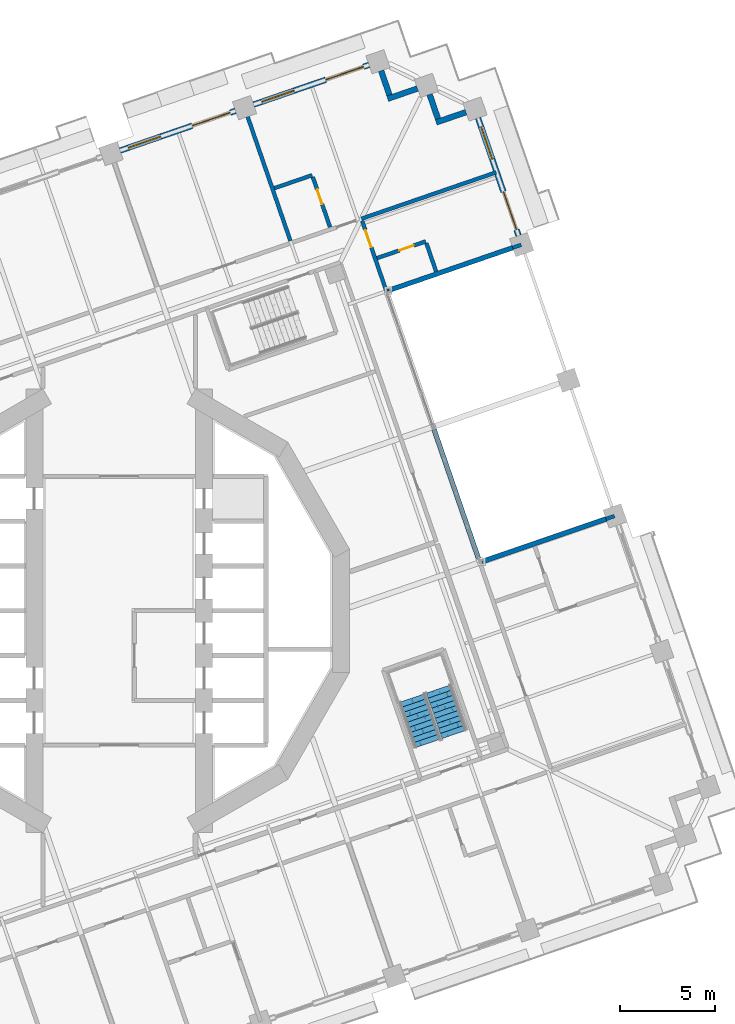
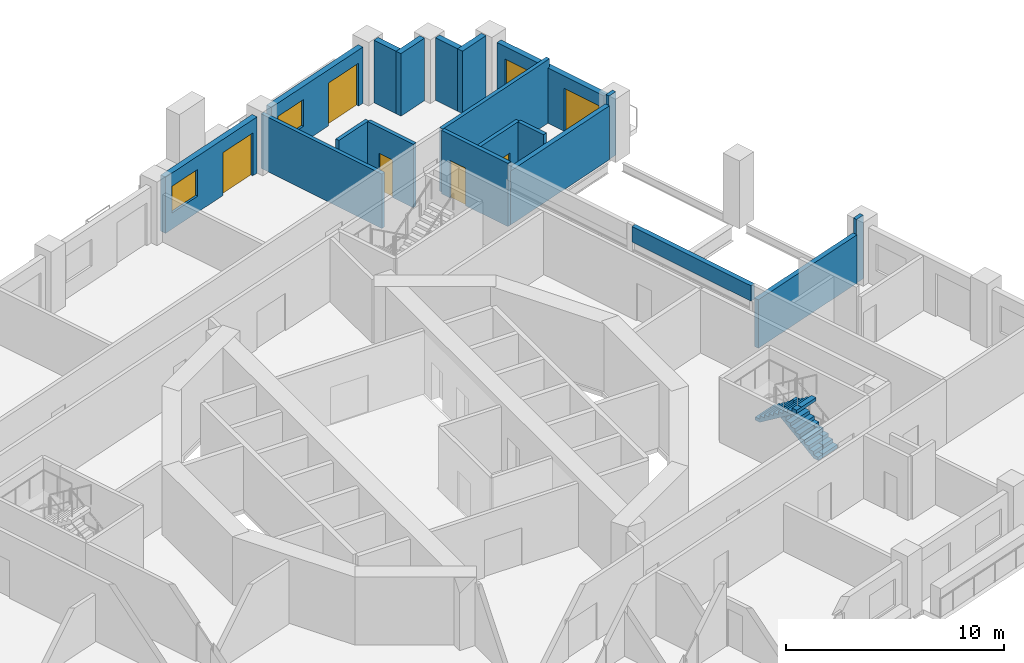
# One storey, part 12 of 19: 19 walls, 6 doors, 3 windows, 2 stair flights, 9 openings, 1 element without a shape of its own.
"""IFC4 building model written with IfcOpenShell, lengths in metres."""

import ifcopenshell
import ifcopenshell.guid

model = None  # the IFC model being written
_history = None  # IfcOwnerHistory: only IFC2X3 demands one
_inside = {}  # id of a spatial element -> (the spatial element, [elements in it])
_under = {}  # id of a project, library or spatial element -> (it, [spatial elements below it])
_declared = {}  # id of a project -> (the project, [libraries it declares])
_typed = {}  # id of a type object -> (the type object, [elements of that type])
_made_of = {}  # id of a material, layer set ... -> (it, [elements and type objects made of it])


def new_model(schema):
    """Start an empty IFC model of exactly this schema.

    Asked for "IFC4X3", IfcOpenShell would pick the latest addendum, in which some entities
    have other attributes; the version numbers below select the first issue.
    IFC2X3 requires an IfcOwnerHistory on every rooted entity: one is made here for all.
    """
    global model, _history
    if schema == "IFC4X3":
        model = ifcopenshell.file(schema_version=(4, 3, 0, 0))
    else:
        model = ifcopenshell.file(schema=schema)
    _inside.clear()
    _under.clear()
    _declared.clear()
    _typed.clear()
    _made_of.clear()
    _history = None
    if model.schema == "IFC2X3":
        org = make("IfcOrganization", Name="unknown")
        user = make(
            "IfcPersonAndOrganization",
            ThePerson=make("IfcPerson", FamilyName="unknown"),
            TheOrganization=org,
        )
        app = make(
            "IfcApplication",
            ApplicationDeveloper=org,
            Version="unknown",
            ApplicationFullName="unknown",
            ApplicationIdentifier="unknown",
        )
        _history = make(
            "IfcOwnerHistory",
            OwningUser=user,
            OwningApplication=app,
            ChangeAction="ADDED",
            CreationDate=0,
        )
    return model


def make(cls, **values):
    """One entity of the class cls with the attributes given. An attribute that is None is left unset."""
    return model.create_entity(
        cls, **{name: value for name, value in values.items() if value is not None}
    )


def rooted(cls, **values):
    """An entity with a GlobalId (a new one), such as an element, a storey or a relation."""
    return make(cls, GlobalId=ifcopenshell.guid.new(), OwnerHistory=_history, **values)


def si_unit(unit_type, name, prefix=None):
    """IfcSIUnit, for example si_unit("LENGTHUNIT", "METRE", prefix="MILLI")."""
    return make("IfcSIUnit", UnitType=unit_type, Prefix=prefix, Name=name)


def assignment(units):
    """IfcUnitAssignment: the units of a project."""
    return None if units is None else make("IfcUnitAssignment", Units=units)


def point(xyz):
    """IfcCartesianPoint."""
    return None if xyz is None else make("IfcCartesianPoint", Coordinates=xyz)


def direction(xyz):
    """IfcDirection."""
    return None if xyz is None else make("IfcDirection", DirectionRatios=xyz)


def frame(location, z_axis=None, x_axis=None):
    """IfcAxis2Placement3D, a coordinate frame: its origin and axes. An axis left out is left unset."""
    return make(
        "IfcAxis2Placement3D",
        Location=point(location),
        Axis=direction(z_axis),
        RefDirection=direction(x_axis),
    )


def frame_2d(location, x_axis=None):
    """IfcAxis2Placement2D, a coordinate frame in the plane: its origin and x axis."""
    return make(
        "IfcAxis2Placement2D", Location=point(location), RefDirection=direction(x_axis)
    )


def origin():
    """The frame at (0, 0, 0) with its axes left unset."""
    return frame((0.0, 0.0, 0.0))


def place(relative_to, where):
    """IfcLocalPlacement: puts the frame where relative to a parent placement (None: the world)."""
    return make(
        "IfcLocalPlacement", PlacementRelTo=relative_to, RelativePlacement=where
    )


def context(
    kind, dimensions, precision=None, world=None, true_north=None, identifier=None
):
    """IfcGeometricRepresentationContext, for example the 3D "Model" context."""
    return make(
        "IfcGeometricRepresentationContext",
        ContextIdentifier=identifier,
        ContextType=kind,
        CoordinateSpaceDimension=dimensions,
        Precision=precision,
        WorldCoordinateSystem=world,
        TrueNorth=true_north,
    )


def subcontext(parent, identifier, kind, view, scale=None):
    """IfcGeometricRepresentationSubContext, for example "Body" below "Model"."""
    return make(
        "IfcGeometricRepresentationSubContext",
        ContextIdentifier=identifier,
        ContextType=kind,
        ParentContext=parent,
        TargetScale=scale,
        TargetView=view,
    )


def project(units=None, contexts=None):
    """IfcProject with its units and contexts."""
    return rooted(
        "IfcProject",
        Name="project",
        RepresentationContexts=contexts,
        UnitsInContext=assignment(units),
    )


def spatial(cls, under=None, at=None, **own):
    """A site, building, storey or space (cls), placed at a placement, below another one or the project."""
    s = rooted(cls, ObjectPlacement=at, **own)
    if under is not None:
        _under.setdefault(under.id(), (under, []))[1].append(s)
    return s


def polyline(points):
    """IfcPolyline through the points."""
    return make("IfcPolyline", Points=[point(p) for p in points])


def profile(cls, at=None, kind="AREA", **sizes):
    """A parametric profile (cls). Its sizes go by their IFC names, for example OverallWidth=200.0."""
    return make(cls, ProfileType=kind, Position=at, **sizes)


def rectangle(**sizes):
    """IfcRectangleProfileDef."""
    return profile("IfcRectangleProfileDef", **sizes)


def outline(outer, holes=None, kind="AREA"):
    """IfcArbitraryClosedProfileDef: a profile drawn as a closed curve; with holes, ...WithVoids."""
    if holes is None:
        return make("IfcArbitraryClosedProfileDef", ProfileType=kind, OuterCurve=outer)
    return make(
        "IfcArbitraryProfileDefWithVoids",
        ProfileType=kind,
        OuterCurve=outer,
        InnerCurves=holes,
    )


def extrude(swept, where, along, depth):
    """IfcExtrudedAreaSolid: the profile swept, set in the frame where, extruded along a direction by depth."""
    return make(
        "IfcExtrudedAreaSolid",
        SweptArea=swept,
        Position=where,
        ExtrudedDirection=direction(along),
        Depth=depth,
    )


def shape(context_of_items, identifier, shape_type, items):
    """IfcShapeRepresentation: the items that make up one representation, for example the "Body"."""
    return make(
        "IfcShapeRepresentation",
        ContextOfItems=context_of_items,
        RepresentationIdentifier=identifier,
        RepresentationType=shape_type,
        Items=items,
    )


def material(Name=None, Category=None):
    """IfcMaterial."""
    return make("IfcMaterial", Name=Name, Category=Category)


def layer(
    of_material, thickness, ventilated=None, Name=None, Category=None, Priority=None
):
    """IfcMaterialLayer: one layer of a wall or slab, of a material (None: an air gap)."""
    return make(
        "IfcMaterialLayer",
        Material=of_material,
        LayerThickness=thickness,
        IsVentilated=ventilated,
        Name=Name,
        Category=Category,
        Priority=Priority,
    )


def layer_set(layers, Name=None):
    """IfcMaterialLayerSet."""
    return make("IfcMaterialLayerSet", MaterialLayers=layers, LayerSetName=Name)


def made_of(thing, what):
    """Note that an element or type object is made of a material, layer set ...; save() writes the relation."""
    if what is not None:
        _made_of.setdefault(what.id(), (what, []))[1].append(thing)
    return thing


def type_object(cls, material=None, **own):
    """A type object (cls), such as IfcWallType, which elements share."""
    return made_of(rooted(cls, **own), material)


def element(
    cls,
    number,
    at=None,
    inside=None,
    cuts=None,
    type_object=None,
    material=None,
    context=None,
    identifier="Body",
    shape_type=None,
    held_by="IfcProductDefinitionShape",
    body=None,
    shapes=None,
    **own,
):
    """One element of the class cls, such as IfcWall. Its Tag is "e" and its number.

    at: its placement. inside: the storey or other place that contains it. cuts: it is an
    opening in that element (IfcRelVoidsElement). A single representation is given by context,
    identifier, shape_type and body (its items); several are given by shapes. held_by: the class
    of the entity that holds the representations. save() writes the other relations.
    """
    e = rooted(cls, Tag="e%d" % number, ObjectPlacement=at, **own)
    if body is not None:
        shapes = [shape(context, identifier, shape_type, body)]
    if shapes is not None:
        e.Representation = make(held_by, Representations=shapes)
    if inside is not None:
        _inside.setdefault(inside.id(), (inside, []))[1].append(e)
    if cuts is not None:
        rooted(
            "IfcRelVoidsElement", RelatingBuildingElement=cuts, RelatedOpeningElement=e
        )
    if type_object is not None:
        _typed.setdefault(type_object.id(), (type_object, []))[1].append(e)
    return made_of(e, material)


def fill(opening, filler):
    """IfcRelFillsElement: the door or window that sits in an opening."""
    return rooted(
        "IfcRelFillsElement",
        RelatingOpeningElement=opening,
        RelatedBuildingElement=filler,
    )


def aggregate(whole, parts):
    """IfcRelAggregates: a whole, such as a stair, and the parts it consists of."""
    return rooted("IfcRelAggregates", RelatingObject=whole, RelatedObjects=parts)


def save(model, path):
    """Write the relations noted so far, then the file.

    IfcRelAggregates (storeys below a building ...), IfcRelContainedInSpatialStructure (elements
    in a storey), IfcRelDefinesByType, IfcRelAssociatesMaterial and IfcRelDeclares: one each for
    every whole, place, type object, material and project.
    """
    for whole, parts in _under.values():
        aggregate(whole, parts)
    for where, things in _inside.values():
        rooted(
            "IfcRelContainedInSpatialStructure",
            RelatedElements=things,
            RelatingStructure=where,
        )
    for kind, things in _typed.values():
        rooted("IfcRelDefinesByType", RelatedObjects=things, RelatingType=kind)
    for what, things in _made_of.values():
        rooted("IfcRelAssociatesMaterial", RelatedObjects=things, RelatingMaterial=what)
    for by, libraries in _declared.values():
        rooted("IfcRelDeclares", RelatingContext=by, RelatedDefinitions=libraries)
    model.write(path)


model = new_model("IFC4")

# Units and contexts
model_context = context("Model", 3, precision=1e-05, world=origin(), true_north=direction((0.0, 1.0)))
body_context = subcontext(model_context, "Body", "Model", "MODEL_VIEW")
ifc_project = project(units=[si_unit("LENGTHUNIT", "METRE"), si_unit("AREAUNIT", "SQUARE_METRE"), si_unit("VOLUMEUNIT", "CUBIC_METRE"), si_unit("PLANEANGLEUNIT", "RADIAN"), si_unit("MASSUNIT", "GRAM", prefix="KILO")], contexts=[model_context])

# Site, building, storey
site_placement = place(None, origin())
site = spatial("IfcSite", under=ifc_project, at=site_placement, CompositionType="ELEMENT")
building_placement = place(site_placement, origin())
building = spatial("IfcBuilding", under=site, at=building_placement, Name="Cantera Rosa Tower", CompositionType="ELEMENT")
storey_placement = place(building_placement, frame((0.0, 0.0, 126.89990234375)))
storey = spatial("IfcBuildingStorey", under=building, at=storey_placement, Name="L26", CompositionType="ELEMENT", Elevation=126.89990234375)

# Wall, opening, door
ifc_material_1 = material(Name="Gypsum board partition")
ifc_layer_1 = layer(ifc_material_1, 0.199951171875)
ifc_layer_set_1 = layer_set([ifc_layer_1], Name="CORRIDOR WALL 200 H3550")
wall_type_1 = type_object("IfcWallType", Name="CORRIDOR WALL 200 H3550", PredefinedType="PARTITIONING", material=ifc_layer_set_1)
wall_1_placement = place(storey_placement, frame((14.049560546875, 16.635498046875, 0.0), z_axis=(0.0, 0.0, 1.0), x_axis=(-0.325601838027, 0.945506976745, 0.0)))
wall_1 = element("IfcWall", 1, at=wall_1_placement, inside=storey, type_object=wall_type_1, Name="CORRIDOR WALL L26-100", PredefinedType="PARTITIONING", context=body_context, shape_type="SweptSolid", body=[
    extrude(rectangle(XDim=4.02490234375, YDim=0.199951171875, at=frame_2d((2.012451171875, 0.0))), origin(), (0.0, 0.0, 1.0), 3.550048828125),
])
opening_1_placement = place(wall_1_placement, frame((2.56005859375, 0.0, 0.0)))
opening_1 = element("IfcOpeningElement", 2, at=opening_1_placement, cuts=wall_1, Name="Opening L26-018", PredefinedType="OPENING", context=body_context, shape_type="SweptSolid", body=[
    extrude(rectangle(XDim=0.949951171875, YDim=2.10009765625, at=frame_2d((0.47509765625, 1.050048828125))), frame((0.0, 0.10986328125, 0.0), z_axis=(0.0, -1.0, 0.0), x_axis=(1.0, 0.0, 0.0)), (0.0, 0.0, 1.0), 0.219970703125),
])
ifc_material_2 = material(Name="Timber door leaf", Category="wood")
door_type_1 = type_object("IfcDoorType", Name="ROOM DOOR 950x2100", OperationType="NOTDEFINED", PredefinedType="DOOR", material=ifc_material_2)
door_1_placement = place(opening_1_placement, origin())
door_1 = element("IfcDoor", 3, at=door_1_placement, inside=storey, type_object=door_type_1, Name="DOOR L26-018", OperationType="NOTDEFINED", OverallHeight=2.10009765625, OverallWidth=0.949951171875, PredefinedType="DOOR", context=body_context, shape_type="SweptSolid", body=[
    extrude(rectangle(XDim=0.949951171875, YDim=2.10009765625, at=frame_2d((0.47509765625, 1.050048828125))), frame((0.0, 0.02490234375, 0.0), z_axis=(0.0, -1.0, 0.0), x_axis=(1.0, 0.0, 0.0)), (0.0, 0.0, 1.0), 0.050048828125),
])
fill(opening_1, door_1)

# Walls
ifc_material_3 = material(Name="Hollow clay masonry with cantera stone cladding", Category="masonry")
ifc_layer_2 = layer(ifc_material_3, 0.300048828125)
ifc_layer_set_2 = layer_set([ifc_layer_2], Name="EW-LOGGIA 300")
wall_type_2 = type_object("IfcWallType", Name="EW-LOGGIA 300", PredefinedType="SOLIDWALL", material=ifc_layer_set_2)
wall_2_placement = place(storey_placement, frame((18.17919921875, 26.142822265625, 0.0), z_axis=(0.0, 0.0, 1.0), x_axis=(-0.945530119553, -0.32553462645, 0.0)))
element("IfcWall", 4, at=wall_2_placement, inside=storey, type_object=wall_type_2, Name="EN-L26-W06a", PredefinedType="SOLIDWALL", context=body_context, shape_type="SweptSolid", body=[
    extrude(rectangle(XDim=1.64990234375, YDim=0.300048828125, at=frame_2d((0.824951171875, 0.0))), origin(), (0.0, 0.0, 1.0), 3.5),
])
wall_3_placement = place(storey_placement, frame((16.7119140625, 25.79638671875, 0.0), z_axis=(0.0, 0.0, 1.0), x_axis=(-0.325544748006, 0.945526634763, 0.0)))
element("IfcWall", 5, at=wall_3_placement, inside=storey, type_object=wall_type_2, Name="EN-L26-W06b", PredefinedType="SOLIDWALL", context=body_context, shape_type="SweptSolid", body=[
    extrude(rectangle(XDim=1.349853515625, YDim=0.300048828125, at=frame_2d((0.6748046875, 0.0))), origin(), (0.0, 0.0, 1.0), 3.5),
])
wall_4_placement = place(storey_placement, frame((15.636962890625, 27.3828125, 0.0), z_axis=(0.0, 0.0, 1.0), x_axis=(-0.945484566827, -0.325666906351, 0.0)))
element("IfcWall", 6, at=wall_4_placement, inside=storey, type_object=wall_type_2, Name="EN-L26-W07a", PredefinedType="SOLIDWALL", context=body_context, shape_type="SweptSolid", body=[
    extrude(rectangle(XDim=1.64990234375, YDim=0.300048828125, at=frame_2d((0.824951171875, 0.0))), origin(), (0.0, 0.0, 1.0), 3.5),
])
wall_5_placement = place(storey_placement, frame((14.169921875, 27.0361328125, 0.0), z_axis=(0.0, 0.0, 1.0), x_axis=(-0.325650742363, 0.945490134268, 0.0)))
element("IfcWall", 7, at=wall_5_placement, inside=storey, type_object=wall_type_2, Name="EN-L26-W07b", PredefinedType="SOLIDWALL", context=body_context, shape_type="SweptSolid", body=[
    extrude(rectangle(XDim=1.35009765625, YDim=0.300048828125, at=frame_2d((0.675048828125, 0.0))), origin(), (0.0, 0.0, 1.0), 3.5),
])

# Wall, openings, window, door
ifc_material_4 = material(Name="Hollow clay masonry with cantera stone cladding", Category="masonry")
ifc_layer_3 = layer(ifc_material_4, 0.300048828125)
ifc_layer_set_3 = layer_set([ifc_layer_3], Name="EW-LOGGIA 300 H3090")
wall_type_3 = type_object("IfcWallType", Name="EW-LOGGIA 300 H3090", PredefinedType="SOLIDWALL", material=ifc_layer_set_3)
wall_6_placement = place(storey_placement, frame((20.9375, 19.668212890625, 0.0), z_axis=(0.0, 0.0, 1.0), x_axis=(-0.325592517631, 0.945510186335, 0.0)))
wall_6 = element("IfcWall", 8, at=wall_6_placement, inside=storey, type_object=wall_type_3, Name="EN-L26-W05", PredefinedType="SOLIDWALL", context=body_context, shape_type="SweptSolid", body=[
    extrude(rectangle(XDim=6.519775390625, YDim=0.300048828125, at=frame_2d((3.259765625, 0.0))), origin(), (0.0, 0.0, 1.0), 3.090087890625),
])
opening_2_placement = place(wall_6_placement, frame((0.330078125, 0.0, 0.0)))
opening_2 = element("IfcOpeningElement", 9, at=opening_2_placement, cuts=wall_6, Name="Opening L26-TD05", PredefinedType="OPENING", context=body_context, shape_type="SweptSolid", body=[
    extrude(rectangle(XDim=2.10009765625, YDim=2.39990234375, at=frame_2d((1.050048828125, 1.199951171875))), frame((0.0, 0.159912109375, 0.0), z_axis=(0.0, -1.0, 0.0), x_axis=(1.0, 0.0, 0.0)), (0.0, 0.0, 1.0), 0.320068359375),
])
opening_3_placement = place(wall_6_placement, frame((4.239990234375, 0.0, 0.89990234375)))
opening_3 = element("IfcOpeningElement", 10, at=opening_3_placement, cuts=wall_6, Name="Opening L26-W06", PredefinedType="OPENING", context=body_context, shape_type="SweptSolid", body=[
    extrude(rectangle(XDim=1.800048828125, YDim=1.5, at=frame_2d((0.89990234375, 0.75))), frame((0.0, 0.159912109375, 0.0), z_axis=(0.0, -1.0, 0.0), x_axis=(1.0, 0.0, 0.0)), (0.0, 0.0, 1.0), 0.320068359375),
])
ifc_material_5 = material(Name="Aluminium frame with clear glass", Category="aluminium")
window_type = type_object("IfcWindowType", Name="Hotel room window 1800x1500", PartitioningType="DOUBLE_PANEL_VERTICAL", PredefinedType="WINDOW", material=ifc_material_5)
window_1_placement = place(opening_3_placement, origin())
window_1 = element("IfcWindow", 11, at=window_1_placement, inside=storey, type_object=window_type, Name="WINDOW L26-W06", OverallHeight=1.5, OverallWidth=1.800048828125, PartitioningType="SINGLE_PANEL", PredefinedType="WINDOW", context=body_context, shape_type="SweptSolid", body=[
    extrude(rectangle(XDim=1.800048828125, YDim=1.5, at=frame_2d((0.89990234375, 0.75))), frame((0.0, 0.030029296875, 0.0), z_axis=(0.0, -1.0, 0.0), x_axis=(1.0, 0.0, 0.0)), (0.0, 0.0, 1.0), 0.06005859375),
])
fill(opening_3, window_1)
ifc_material_6 = material(Name="Aluminium frame with clear glass", Category="aluminium")
door_type_2 = type_object("IfcDoorType", Name="TD-H 2100x2400", OperationType="NOTDEFINED", PredefinedType="DOOR", material=ifc_material_6)
door_2_placement = place(opening_2_placement, origin())
door_2 = element("IfcDoor", 12, at=door_2_placement, inside=storey, type_object=door_type_2, Name="LOGGIA DOOR L26-TD05", OperationType="SLIDING_TO_LEFT", OverallHeight=2.39990234375, OverallWidth=2.10009765625, PredefinedType="DOOR", context=body_context, shape_type="SweptSolid", body=[
    extrude(rectangle(XDim=2.10009765625, YDim=2.39990234375, at=frame_2d((1.050048828125, 1.199951171875))), frame((0.0, 0.02490234375, 0.0), z_axis=(0.0, -1.0, 0.0), x_axis=(1.0, 0.0, 0.0)), (0.0, 0.0, 1.0), 0.050048828125),
])
fill(opening_2, door_2)

ifc_material_7 = material(Name="Hollow clay masonry with cantera stone cladding", Category="masonry")
ifc_layer_4 = layer(ifc_material_7, 0.300048828125)
ifc_layer_set_4 = layer_set([ifc_layer_4], Name="EW-LOGGIA 300 H3140")
wall_type_4 = type_object("IfcWallType", Name="EW-LOGGIA 300 H3140", PredefinedType="SOLIDWALL", material=ifc_layer_set_4)
wall_7_placement = place(storey_placement, frame((13.0947265625, 28.62255859375, 0.0), z_axis=(0.0, 0.0, 1.0), x_axis=(-0.945524496524, -0.325550958337, 0.0)))
wall_7 = element("IfcWall", 13, at=wall_7_placement, inside=storey, type_object=wall_type_4, Name="EN-L26-W08", PredefinedType="SOLIDWALL", context=body_context, shape_type="SweptSolid", body=[
    extrude(rectangle(XDim=6.39990234375, YDim=0.300048828125, at=frame_2d((3.199951171875, 0.0))), origin(), (0.0, 0.0, 1.0), 3.14013671875),
])
opening_4_placement = place(wall_7_placement, frame((0.300048828125, 0.0, 0.0)))
opening_4 = element("IfcOpeningElement", 14, at=opening_4_placement, cuts=wall_7, Name="Opening L26-TD07", PredefinedType="OPENING", context=body_context, shape_type="SweptSolid", body=[
    extrude(rectangle(XDim=2.10009765625, YDim=2.39990234375, at=frame_2d((1.050048828125, 1.199951171875))), frame((0.0, 0.159912109375, 0.0), z_axis=(0.0, -1.0, 0.0), x_axis=(1.0, 0.0, 0.0)), (0.0, 0.0, 1.0), 0.320068359375),
])
opening_5_placement = place(wall_7_placement, frame((4.14990234375, 0.0, 0.89990234375)))
opening_5 = element("IfcOpeningElement", 15, at=opening_5_placement, cuts=wall_7, Name="Opening L26-W08", PredefinedType="OPENING", context=body_context, shape_type="SweptSolid", body=[
    extrude(rectangle(XDim=1.800048828125, YDim=1.5, at=frame_2d((0.89990234375, 0.75))), frame((0.0, 0.159912109375, 0.0), z_axis=(0.0, -1.0, 0.0), x_axis=(1.0, 0.0, 0.0)), (0.0, 0.0, 1.0), 0.320068359375),
])
window_2_placement = place(opening_5_placement, origin())
window_2 = element("IfcWindow", 16, at=window_2_placement, inside=storey, type_object=window_type, Name="WINDOW L26-W08", OverallHeight=1.5, OverallWidth=1.800048828125, PartitioningType="SINGLE_PANEL", PredefinedType="WINDOW", context=body_context, shape_type="SweptSolid", body=[
    extrude(rectangle(XDim=1.800048828125, YDim=1.5, at=frame_2d((0.89990234375, 0.75))), frame((0.0, 0.030029296875, 0.0), z_axis=(0.0, -1.0, 0.0), x_axis=(1.0, 0.0, 0.0)), (0.0, 0.0, 1.0), 0.06005859375),
])
fill(opening_5, window_2)
door_3_placement = place(opening_4_placement, origin())
door_3 = element("IfcDoor", 17, at=door_3_placement, inside=storey, type_object=door_type_2, Name="LOGGIA DOOR L26-TD07", OperationType="SLIDING_TO_LEFT", OverallHeight=2.39990234375, OverallWidth=2.10009765625, PredefinedType="DOOR", context=body_context, shape_type="SweptSolid", body=[
    extrude(rectangle(XDim=2.10009765625, YDim=2.39990234375, at=frame_2d((1.050048828125, 1.199951171875))), frame((0.0, 0.02490234375, 0.0), z_axis=(0.0, -1.0, 0.0), x_axis=(1.0, 0.0, 0.0)), (0.0, 0.0, 1.0), 0.050048828125),
])
fill(opening_4, door_3)

wall_8_placement = place(storey_placement, frame((6.097900390625, 26.21337890625, 0.0), z_axis=(0.0, 0.0, 1.0), x_axis=(-0.945524496524, -0.325550958337, 0.0)))
wall_8 = element("IfcWall", 18, at=wall_8_placement, inside=storey, type_object=wall_type_4, Name="EN-L26-W09", PredefinedType="SOLIDWALL", context=body_context, shape_type="SweptSolid", body=[
    extrude(rectangle(XDim=6.39990234375, YDim=0.300048828125, at=frame_2d((3.199951171875, 0.0))), origin(), (0.0, 0.0, 1.0), 3.14013671875),
])
opening_6_placement = place(wall_8_placement, frame((0.300048828125, 0.0, 0.0)))
opening_6 = element("IfcOpeningElement", 19, at=opening_6_placement, cuts=wall_8, Name="Opening L26-TD09", PredefinedType="OPENING", context=body_context, shape_type="SweptSolid", body=[
    extrude(rectangle(XDim=2.10009765625, YDim=2.39990234375, at=frame_2d((1.050048828125, 1.199951171875))), frame((0.0, 0.159912109375, 0.0), z_axis=(0.0, -1.0, 0.0), x_axis=(1.0, 0.0, 0.0)), (0.0, 0.0, 1.0), 0.320068359375),
])
opening_7_placement = place(wall_8_placement, frame((4.14990234375, 0.0, 0.89990234375)))
opening_7 = element("IfcOpeningElement", 20, at=opening_7_placement, cuts=wall_8, Name="Opening L26-W10", PredefinedType="OPENING", context=body_context, shape_type="SweptSolid", body=[
    extrude(rectangle(XDim=1.800048828125, YDim=1.5, at=frame_2d((0.89990234375, 0.75))), frame((0.0, 0.159912109375, 0.0), z_axis=(0.0, -1.0, 0.0), x_axis=(1.0, 0.0, 0.0)), (0.0, 0.0, 1.0), 0.320068359375),
])
window_3_placement = place(opening_7_placement, origin())
window_3 = element("IfcWindow", 21, at=window_3_placement, inside=storey, type_object=window_type, Name="WINDOW L26-W10", OverallHeight=1.5, OverallWidth=1.800048828125, PartitioningType="SINGLE_PANEL", PredefinedType="WINDOW", context=body_context, shape_type="SweptSolid", body=[
    extrude(rectangle(XDim=1.800048828125, YDim=1.5, at=frame_2d((0.89990234375, 0.75))), frame((0.0, 0.030029296875, 0.0), z_axis=(0.0, -1.0, 0.0), x_axis=(1.0, 0.0, 0.0)), (0.0, 0.0, 1.0), 0.06005859375),
])
fill(opening_7, window_3)
door_4_placement = place(opening_6_placement, origin())
door_4 = element("IfcDoor", 22, at=door_4_placement, inside=storey, type_object=door_type_2, Name="LOGGIA DOOR L26-TD09", OperationType="SLIDING_TO_LEFT", OverallHeight=2.39990234375, OverallWidth=2.10009765625, PredefinedType="DOOR", context=body_context, shape_type="SweptSolid", body=[
    extrude(rectangle(XDim=2.10009765625, YDim=2.39990234375, at=frame_2d((1.050048828125, 1.199951171875))), frame((0.0, 0.02490234375, 0.0), z_axis=(0.0, -1.0, 0.0), x_axis=(1.0, 0.0, 0.0)), (0.0, 0.0, 1.0), 0.050048828125),
])
fill(opening_6, door_4)

# Walls
ifc_material_8 = material(Name="Concrete C40/50", Category="concrete")
ifc_layer_5 = layer(ifc_material_8, 0.25)
ifc_layer_set_5 = layer_set([ifc_layer_5], Name="EW-POCKET CHEEK 250 H2710")
wall_type_5 = type_object("IfcWallType", Name="EW-POCKET CHEEK 250 H2710", PredefinedType="SOLIDWALL", material=ifc_layer_set_5)
wall_9_placement = place(storey_placement, frame((25.52392578125, 4.81201171875, 0.0), z_axis=(0.0, 0.0, 1.0), x_axis=(-0.945509017246, -0.325595912607, 0.0)))
element("IfcWall", 23, at=wall_9_placement, inside=storey, type_object=wall_type_5, Name="POCKET CHEEK A L26", PredefinedType="SOLIDWALL", context=body_context, shape_type="SweptSolid", body=[
    extrude(rectangle(XDim=6.89990234375, YDim=0.25, at=frame_2d((3.449951171875, 0.0))), origin(), (0.0, 0.0, 1.0), 2.710205078125),
])
ifc_material_9 = material(Name="Concrete C40/50", Category="concrete")
ifc_layer_6 = layer(ifc_material_9, 0.25)
ifc_layer_set_6 = layer_set([ifc_layer_6], Name="EW-POCKET CHEEK 250 H3020")
wall_type_6 = type_object("IfcWallType", Name="EW-POCKET CHEEK 250 H3020", PredefinedType="SOLIDWALL", material=ifc_layer_set_6)
wall_10_placement = place(storey_placement, frame((20.62744140625, 19.032470703125, 0.0), z_axis=(0.0, 0.0, 1.0), x_axis=(-0.945523659879, -0.325553388263, 0.0)))
element("IfcWall", 24, at=wall_10_placement, inside=storey, type_object=wall_type_6, Name="POCKET CHEEK B L26", PredefinedType="SOLIDWALL", context=body_context, shape_type="SweptSolid", body=[
    extrude(rectangle(XDim=6.900146484375, YDim=0.25, at=frame_2d((3.4501953125, 0.0))), origin(), (0.0, 0.0, 1.0), 3.02001953125),
])
ifc_material_10 = material(Name="Hollow clay masonry with cantera stone cladding", Category="masonry")
ifc_layer_7 = layer(ifc_material_10, 0.25)
ifc_layer_set_7 = layer_set([ifc_layer_7], Name="EW-POCKET REAR 250")
wall_type_7 = type_object("IfcWallType", Name="EW-POCKET REAR 250", PredefinedType="SOLIDWALL", material=ifc_layer_set_7)
wall_11_placement = place(storey_placement, frame((18.86474609375, 2.651123046875, 2.634033203125), z_axis=(0.0, 0.0, 1.0), x_axis=(-0.325594113902, 0.945509636647, 0.0)))
element("IfcWall", 25, at=wall_11_placement, inside=storey, type_object=wall_type_7, Name="POCKET SPANDREL L26-1", PredefinedType="SOLIDWALL", context=body_context, shape_type="SweptSolid", body=[
    extrude(rectangle(XDim=7.22900390625, YDim=0.25, at=frame_2d((3.614501953125, 0.0))), origin(), (0.0, 0.0, 1.0), 0.865966796875),
])
ifc_material_11 = material(Name="Gypsum board partition")
ifc_layer_8 = layer(ifc_material_11, 0.199951171875)
ifc_layer_set_8 = layer_set([ifc_layer_8], Name="PARTITION 200 H3550")
wall_type_8 = type_object("IfcWallType", Name="PARTITION 200 H3550", PredefinedType="PARTITIONING", material=ifc_layer_set_8)
wall_12_placement = place(storey_placement, frame((8.13037109375, 22.154052734375, 0.0), z_axis=(0.0, 0.0, 1.0), x_axis=(0.945533479579, 0.32552486694, 0.0)))
element("IfcWall", 26, at=wall_12_placement, inside=storey, type_object=wall_type_8, Name="PARTITION L26-071", PredefinedType="PARTITIONING", context=body_context, shape_type="SweptSolid", body=[
    extrude(rectangle(XDim=2.099853515625, YDim=0.199951171875, at=frame_2d((1.0498046875, 0.0))), origin(), (0.0, 0.0, 1.0), 3.550048828125),
])

# Wall, opening, door
wall_13_placement = place(storey_placement, frame((10.1484375, 22.7431640625, 0.0), z_axis=(0.0, 0.0, 1.0), x_axis=(0.325617188453, -0.945501690418, 0.0)))
wall_13 = element("IfcWall", 27, at=wall_13_placement, inside=storey, type_object=wall_type_8, Name="PARTITION L26-072", PredefinedType="PARTITIONING", context=body_context, shape_type="SweptSolid", body=[
    extrude(rectangle(XDim=2.7802734375, YDim=0.199951171875, at=frame_2d((1.39013671875, 0.0))), origin(), (0.0, 0.0, 1.0), 3.550048828125),
])
opening_8_placement = place(wall_13_placement, frame((0.699951171875, 0.0, 0.0)))
opening_8 = element("IfcOpeningElement", 28, at=opening_8_placement, cuts=wall_13, Name="Opening L26-025", PredefinedType="OPENING", context=body_context, shape_type="SweptSolid", body=[
    extrude(rectangle(XDim=0.800048828125, YDim=2.10009765625, at=frame_2d((0.39990234375, 1.050048828125))), frame((0.0, 0.10986328125, 0.0), z_axis=(0.0, -1.0, 0.0), x_axis=(1.0, 0.0, 0.0)), (0.0, 0.0, 1.0), 0.219970703125),
])
ifc_material_12 = material(Name="Timber door leaf", Category="wood")
door_type_3 = type_object("IfcDoorType", Name="BATHROOM DOOR 800x2100", OperationType="NOTDEFINED", PredefinedType="DOOR", material=ifc_material_12)
door_5_placement = place(opening_8_placement, origin())
door_5 = element("IfcDoor", 29, at=door_5_placement, inside=storey, type_object=door_type_3, Name="DOOR L26-025", OperationType="NOTDEFINED", OverallHeight=2.10009765625, OverallWidth=0.800048828125, PredefinedType="DOOR", context=body_context, shape_type="SweptSolid", body=[
    extrude(rectangle(XDim=0.800048828125, YDim=2.10009765625, at=frame_2d((0.39990234375, 1.050048828125))), frame((0.0, 0.02490234375, 0.0), z_axis=(0.0, -1.0, 0.0), x_axis=(1.0, 0.0, 0.0)), (0.0, 0.0, 1.0), 0.050048828125),
])
fill(opening_8, door_5)

wall_14_placement = place(storey_placement, frame((13.517333984375, 18.488037109375, 0.0), z_axis=(0.0, 0.0, 1.0), x_axis=(0.945508383903, 0.325597751787, 0.0)))
wall_14 = element("IfcWall", 30, at=wall_14_placement, inside=storey, type_object=wall_type_8, Name="PARTITION L26-080", PredefinedType="PARTITIONING", context=body_context, shape_type="SweptSolid", body=[
    extrude(rectangle(XDim=2.7001953125, YDim=0.199951171875, at=frame_2d((1.35009765625, 0.0))), origin(), (0.0, 0.0, 1.0), 3.550048828125),
])
opening_9_placement = place(wall_14_placement, frame((1.236083984375, 0.0, 0.0)))
opening_9 = element("IfcOpeningElement", 31, at=opening_9_placement, cuts=wall_14, Name="Opening L26-019", PredefinedType="OPENING", context=body_context, shape_type="SweptSolid", body=[
    extrude(rectangle(XDim=0.800048828125, YDim=2.10009765625, at=frame_2d((0.39990234375, 1.050048828125))), frame((0.0, 0.10986328125, 0.0), z_axis=(0.0, -1.0, 0.0), x_axis=(1.0, 0.0, 0.0)), (0.0, 0.0, 1.0), 0.219970703125),
])
door_6_placement = place(opening_9_placement, origin())
door_6 = element("IfcDoor", 32, at=door_6_placement, inside=storey, type_object=door_type_3, Name="DOOR L26-019", OperationType="NOTDEFINED", OverallHeight=2.10009765625, OverallWidth=0.800048828125, PredefinedType="DOOR", context=body_context, shape_type="SweptSolid", body=[
    extrude(rectangle(XDim=0.800048828125, YDim=2.10009765625, at=frame_2d((0.39990234375, 1.050048828125))), frame((0.0, 0.02490234375, 0.0), z_axis=(0.0, -1.0, 0.0), x_axis=(1.0, 0.0, 0.0)), (0.0, 0.0, 1.0), 0.050048828125),
])
fill(opening_9, door_6)

# Walls
wall_15_placement = place(storey_placement, frame((16.102783203125, 19.2724609375, 0.0), z_axis=(0.0, 0.0, 1.0), x_axis=(0.325572385244, -0.945517118812, 0.0)))
element("IfcWall", 33, at=wall_15_placement, inside=storey, type_object=wall_type_8, Name="PARTITION L26-083", PredefinedType="PARTITIONING", context=body_context, shape_type="SweptSolid", body=[
    extrude(rectangle(XDim=1.56494140625, YDim=0.199951171875, at=frame_2d((0.782470703125, 0.0))), origin(), (0.0, 0.0, 1.0), 3.550048828125),
])
wall_16_placement = place(storey_placement, frame((25.52392578125, 4.81201171875, 0.0), z_axis=(0.0, 0.0, 1.0), x_axis=(0.945521865576, 0.325558599515, 0.0)))
element("IfcWall", 34, at=wall_16_placement, inside=storey, type_object=wall_type_8, Name="PARTITION L26-089", PredefinedType="PARTITIONING", context=body_context, shape_type="SweptSolid", body=[
    extrude(rectangle(XDim=0.47021484375, YDim=0.199951171875, at=frame_2d((0.235107421875, 0.0))), origin(), (0.0, 0.0, 1.0), 3.550048828125),
])
wall_17_placement = place(storey_placement, frame((21.07177734375, 19.185546875, 0.0), z_axis=(0.0, 0.0, 1.0), x_axis=(-0.945626684637, -0.325254013507, 0.0)))
element("IfcWall", 35, at=wall_17_placement, inside=storey, type_object=wall_type_8, Name="PARTITION L26-096", PredefinedType="PARTITIONING", context=body_context, shape_type="SweptSolid", body=[
    extrude(rectangle(XDim=0.469970703125, YDim=0.199951171875, at=frame_2d((0.23486328125, 0.0))), origin(), (0.0, 0.0, 1.0), 3.550048828125),
])
ifc_material_13 = material(Name="Gypsum board partition")
ifc_layer_9 = layer(ifc_material_13, 0.199951171875)
ifc_layer_set_9 = layer_set([ifc_layer_9], Name="PARTY WALL 200 H3050")
wall_type_9 = type_object("IfcWallType", Name="PARTY WALL 200 H3050", PredefinedType="PARTITIONING", material=ifc_layer_set_9)
wall_18_placement = place(storey_placement, frame((6.58056640625, 26.347900390625, 0.0), z_axis=(0.0, 0.0, 1.0), x_axis=(0.325549451152, -0.945525015457, 0.0)))
element("IfcWall", 36, at=wall_18_placement, inside=storey, type_object=wall_type_9, Name="PARTY WALL L26-064", PredefinedType="PARTITIONING", context=body_context, shape_type="SweptSolid", body=[
    extrude(rectangle(XDim=7.35009765625, YDim=0.199951171875, at=frame_2d((3.675048828125, 0.0))), origin(), (0.0, 0.0, 1.0), 3.050048828125),
])
ifc_material_14 = material(Name="Gypsum board partition")
ifc_layer_10 = layer(ifc_material_14, 0.199951171875)
ifc_layer_set_10 = layer_set([ifc_layer_10], Name="PARTY WALL 200 H3550")
wall_type_10 = type_object("IfcWallType", Name="PARTY WALL 200 H3550", PredefinedType="PARTITIONING", material=ifc_layer_set_10)
wall_19_placement = place(storey_placement, frame((12.699951171875, 20.5546875, 0.0), z_axis=(0.0, 0.0, 1.0), x_axis=(0.945522578269, 0.325556529628, 0.0)))
element("IfcWall", 37, at=wall_19_placement, inside=storey, type_object=wall_type_10, Name="PARTY WALL L26-079", PredefinedType="PARTITIONING", context=body_context, shape_type="SweptSolid", body=[
    extrude(rectangle(XDim=7.469970703125, YDim=0.199951171875, at=frame_2d((3.73486328125, 0.0))), origin(), (0.0, 0.0, 1.0), 3.550048828125),
])

# Stair, stair flights
ifc_material_15 = material(Name="Concrete C35/45", Category="concrete")
stair_type = type_object("IfcStairType", Name="EXIT STAIR 1350 DOGLEG", PredefinedType="HALF_TURN_STAIR", material=ifc_material_15)
stair_placement = place(storey_placement, origin())
stair = element("IfcStair", 38, at=stair_placement, inside=storey, type_object=stair_type, Name="L26 ST-23", PredefinedType="HALF_TURN_STAIR")
ifc_material_16 = material(Name="Concrete C35/45", Category="concrete")
stair_flight_type = type_object("IfcStairFlightType", Name="STAIR FLIGHT 1350 R20x190", PredefinedType="STRAIGHT", material=ifc_material_16)
stair_flight_1_placement = place(storey_placement, frame((17.56494140625, -6.4794921875, 0.0), z_axis=(0.0, 0.0, 1.0), x_axis=(-0.325568154457, 0.945518575599, 0.0)))
stair_flight_1 = element("IfcStairFlight", 39, at=stair_flight_1_placement, type_object=stair_flight_type, Name="ST-23 flight 1", NumberOfRisers=10, NumberOfTreads=9, PredefinedType="STRAIGHT", RiserHeight=0.19, TreadLength=0.28, context=body_context, shape_type="SweptSolid", body=[
    extrude(outline(polyline([(0.0, 0.0), (0.0, 0.18994140625), (0.280029296875, 0.18994140625), (0.280029296875, 0.3798828125), (0.56005859375, 0.3798828125), (0.56005859375, 0.570068359375), (0.840087890625, 0.570068359375), (0.840087890625, 0.760009765625), (1.1201171875, 0.760009765625), (1.1201171875, 0.949951171875), (1.39990234375, 0.949951171875), (1.39990234375, 1.139892578125), (1.679931640625, 1.139892578125), (1.679931640625, 1.330078125), (1.9599609375, 1.330078125), (1.9599609375, 1.52001953125), (2.239990234375, 1.52001953125), (2.239990234375, 1.7099609375), (2.52001953125, 1.7099609375), (2.52001953125, 1.89990234375), (2.52001953125, 1.52880859375), (0.266845703125, 0.0), (0.0, 0.0)])), frame((0.0, 0.675048828125, 0.0), z_axis=(0.0, -1.0, 0.0), x_axis=(1.0, 0.0, 0.0)), (0.0, 0.0, 1.0), 0.3359375),
    extrude(outline(polyline([(0.0, 0.0), (0.0, 0.18994140625), (0.280029296875, 0.18994140625), (0.280029296875, 0.3798828125), (0.56005859375, 0.3798828125), (0.56005859375, 0.570068359375), (0.840087890625, 0.570068359375), (0.840087890625, 0.760009765625), (1.1201171875, 0.760009765625), (1.1201171875, 0.949951171875), (1.39990234375, 0.949951171875), (1.39990234375, 1.139892578125), (1.679931640625, 1.139892578125), (1.679931640625, 1.330078125), (1.9599609375, 1.330078125), (1.9599609375, 1.52001953125), (2.239990234375, 1.52001953125), (2.239990234375, 1.7099609375), (2.52001953125, 1.7099609375), (2.52001953125, 1.89990234375), (2.52001953125, 1.52880859375), (0.266845703125, 0.0), (0.0, 0.0)])), frame((0.0, 0.337158203125, 0.0), z_axis=(0.0, -1.0, 0.0), x_axis=(1.0, 0.0, 0.0)), (0.0, 0.0, 1.0), 0.3359375),
    extrude(outline(polyline([(0.0, 0.0), (0.0, 0.18994140625), (0.280029296875, 0.18994140625), (0.280029296875, 0.3798828125), (0.56005859375, 0.3798828125), (0.56005859375, 0.570068359375), (0.840087890625, 0.570068359375), (0.840087890625, 0.760009765625), (1.1201171875, 0.760009765625), (1.1201171875, 0.949951171875), (1.39990234375, 0.949951171875), (1.39990234375, 1.139892578125), (1.679931640625, 1.139892578125), (1.679931640625, 1.330078125), (1.9599609375, 1.330078125), (1.9599609375, 1.52001953125), (2.239990234375, 1.52001953125), (2.239990234375, 1.7099609375), (2.52001953125, 1.7099609375), (2.52001953125, 1.89990234375), (2.52001953125, 1.52880859375), (0.266845703125, 0.0), (0.0, 0.0)])), frame((0.0, -0.000732421875, 0.0), z_axis=(0.0, -1.0, 0.0), x_axis=(1.0, 0.0, 0.0)), (0.0, 0.0, 1.0), 0.3359375),
    extrude(outline(polyline([(0.0, 0.0), (0.0, 0.18994140625), (0.280029296875, 0.18994140625), (0.280029296875, 0.3798828125), (0.56005859375, 0.3798828125), (0.56005859375, 0.570068359375), (0.840087890625, 0.570068359375), (0.840087890625, 0.760009765625), (1.1201171875, 0.760009765625), (1.1201171875, 0.949951171875), (1.39990234375, 0.949951171875), (1.39990234375, 1.139892578125), (1.679931640625, 1.139892578125), (1.679931640625, 1.330078125), (1.9599609375, 1.330078125), (1.9599609375, 1.52001953125), (2.239990234375, 1.52001953125), (2.239990234375, 1.7099609375), (2.52001953125, 1.7099609375), (2.52001953125, 1.89990234375), (2.52001953125, 1.52880859375), (0.266845703125, 0.0), (0.0, 0.0)])), frame((0.0, -0.338623046875, 0.0), z_axis=(0.0, -1.0, 0.0), x_axis=(1.0, 0.0, 0.0)), (0.0, 0.0, 1.0), 0.3359375),
])
stair_flight_2_placement = place(storey_placement, frame((15.326171875, -4.585205078125, 1.900146484375), z_axis=(0.0, 0.0, 1.0), x_axis=(0.325568154457, -0.945518575599, 0.0)))
stair_flight_2 = element("IfcStairFlight", 40, at=stair_flight_2_placement, type_object=stair_flight_type, Name="ST-23 flight 2", NumberOfRisers=10, NumberOfTreads=9, PredefinedType="STRAIGHT", RiserHeight=0.19, TreadLength=0.28, context=body_context, shape_type="SweptSolid", body=[
    extrude(outline(polyline([(0.0, 0.0), (0.0, 0.18994140625), (0.280029296875, 0.18994140625), (0.280029296875, 0.3798828125), (0.56005859375, 0.3798828125), (0.56005859375, 0.570068359375), (0.840087890625, 0.570068359375), (0.840087890625, 0.760009765625), (1.1201171875, 0.760009765625), (1.1201171875, 0.949951171875), (1.39990234375, 0.949951171875), (1.39990234375, 1.139892578125), (1.679931640625, 1.139892578125), (1.679931640625, 1.330078125), (1.9599609375, 1.330078125), (1.9599609375, 1.52001953125), (2.239990234375, 1.52001953125), (2.239990234375, 1.7099609375), (2.52001953125, 1.7099609375), (2.52001953125, 1.89990234375), (2.52001953125, 1.52880859375), (0.266845703125, 0.0), (0.0, 0.0)])), frame((0.0, 0.675048828125, 0.0), z_axis=(0.0, -1.0, 0.0), x_axis=(1.0, 0.0, 0.0)), (0.0, 0.0, 1.0), 0.3359375),
    extrude(outline(polyline([(0.0, 0.0), (0.0, 0.18994140625), (0.280029296875, 0.18994140625), (0.280029296875, 0.3798828125), (0.56005859375, 0.3798828125), (0.56005859375, 0.570068359375), (0.840087890625, 0.570068359375), (0.840087890625, 0.760009765625), (1.1201171875, 0.760009765625), (1.1201171875, 0.949951171875), (1.39990234375, 0.949951171875), (1.39990234375, 1.139892578125), (1.679931640625, 1.139892578125), (1.679931640625, 1.330078125), (1.9599609375, 1.330078125), (1.9599609375, 1.52001953125), (2.239990234375, 1.52001953125), (2.239990234375, 1.7099609375), (2.52001953125, 1.7099609375), (2.52001953125, 1.89990234375), (2.52001953125, 1.52880859375), (0.266845703125, 0.0), (0.0, 0.0)])), frame((0.0, 0.337158203125, 0.0), z_axis=(0.0, -1.0, 0.0), x_axis=(1.0, 0.0, 0.0)), (0.0, 0.0, 1.0), 0.3359375),
    extrude(outline(polyline([(0.0, 0.0), (0.0, 0.18994140625), (0.280029296875, 0.18994140625), (0.280029296875, 0.3798828125), (0.56005859375, 0.3798828125), (0.56005859375, 0.570068359375), (0.840087890625, 0.570068359375), (0.840087890625, 0.760009765625), (1.1201171875, 0.760009765625), (1.1201171875, 0.949951171875), (1.39990234375, 0.949951171875), (1.39990234375, 1.139892578125), (1.679931640625, 1.139892578125), (1.679931640625, 1.330078125), (1.9599609375, 1.330078125), (1.9599609375, 1.52001953125), (2.239990234375, 1.52001953125), (2.239990234375, 1.7099609375), (2.52001953125, 1.7099609375), (2.52001953125, 1.89990234375), (2.52001953125, 1.52880859375), (0.266845703125, 0.0), (0.0, 0.0)])), frame((0.0, -0.000732421875, 0.0), z_axis=(0.0, -1.0, 0.0), x_axis=(1.0, 0.0, 0.0)), (0.0, 0.0, 1.0), 0.3359375),
    extrude(outline(polyline([(0.0, 0.0), (0.0, 0.18994140625), (0.280029296875, 0.18994140625), (0.280029296875, 0.3798828125), (0.56005859375, 0.3798828125), (0.56005859375, 0.570068359375), (0.840087890625, 0.570068359375), (0.840087890625, 0.760009765625), (1.1201171875, 0.760009765625), (1.1201171875, 0.949951171875), (1.39990234375, 0.949951171875), (1.39990234375, 1.139892578125), (1.679931640625, 1.139892578125), (1.679931640625, 1.330078125), (1.9599609375, 1.330078125), (1.9599609375, 1.52001953125), (2.239990234375, 1.52001953125), (2.239990234375, 1.7099609375), (2.52001953125, 1.7099609375), (2.52001953125, 1.89990234375), (2.52001953125, 1.52880859375), (0.266845703125, 0.0), (0.0, 0.0)])), frame((0.0, -0.338623046875, 0.0), z_axis=(0.0, -1.0, 0.0), x_axis=(1.0, 0.0, 0.0)), (0.0, 0.0, 1.0), 0.3359375),
])
aggregate(stair, [stair_flight_1, stair_flight_2])

save(model, "model.ifc")
